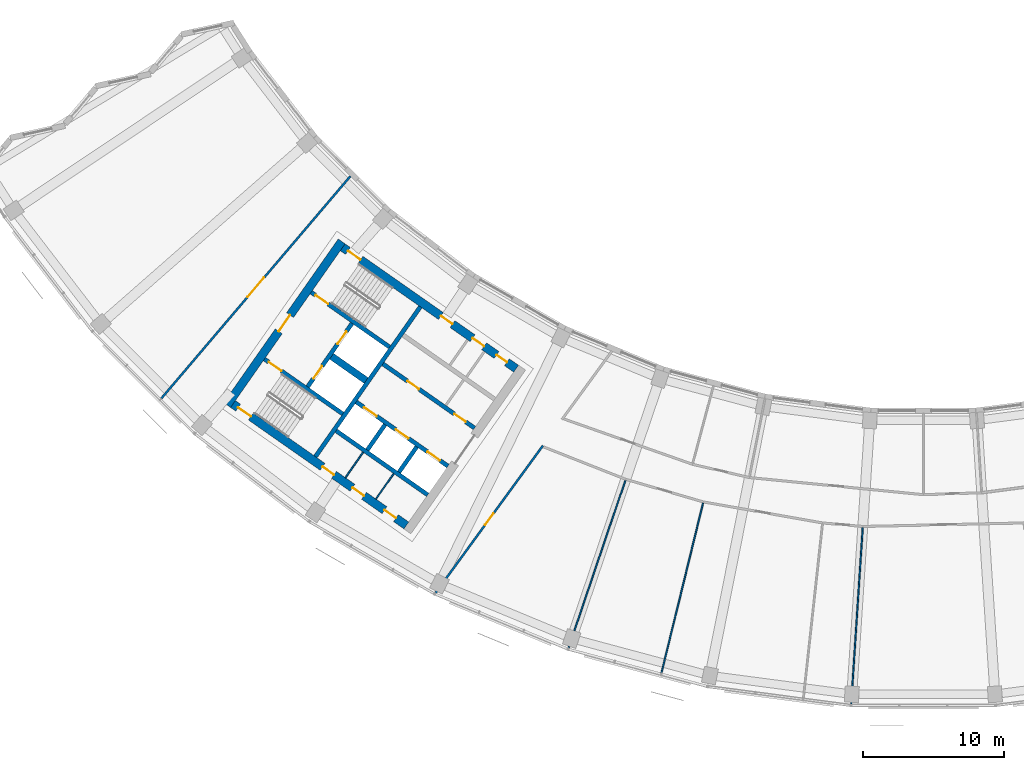
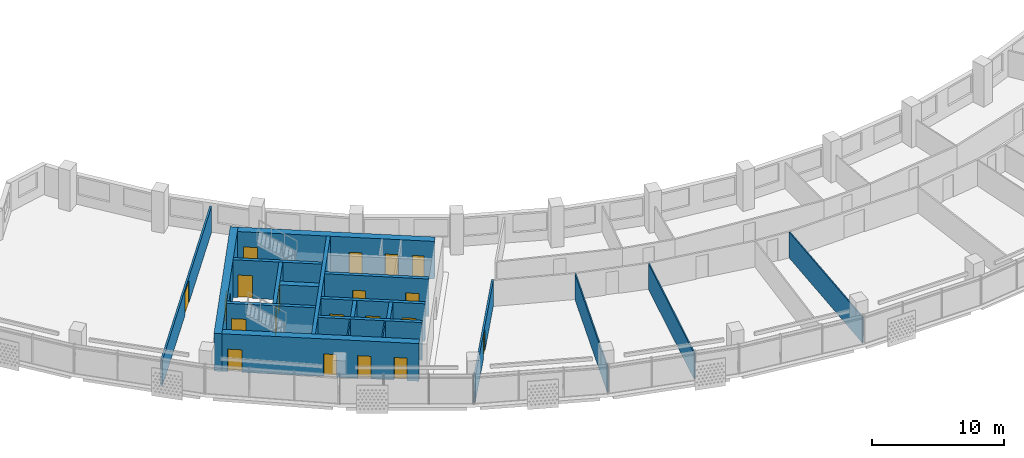
# One storey, part 3 of 28: 20 doors, 20 walls, 20 openings.
"""IFC4 building model written with IfcOpenShell, lengths in metres."""

from ifc_helpers import new_model, si_unit, direction, frame, frame_2d, origin, place, context, subcontext, project, spatial, rectangle, extrude, material, layer, layer_set, type_object, element, fill, save


model = new_model("IFC4")

# Units and contexts
model_context = context("Model", 3, precision=1e-05, world=origin(), true_north=direction((0.0, 1.0)))
body_context = subcontext(model_context, "Body", "Model", "MODEL_VIEW")
ifc_project = project(units=[si_unit("LENGTHUNIT", "METRE"), si_unit("AREAUNIT", "SQUARE_METRE"), si_unit("VOLUMEUNIT", "CUBIC_METRE"), si_unit("PLANEANGLEUNIT", "RADIAN"), si_unit("MASSUNIT", "GRAM", prefix="KILO")], contexts=[model_context])

# Site, building, storey
site_placement = place(None, origin())
site = spatial("IfcSite", under=ifc_project, at=site_placement, CompositionType="ELEMENT")
building_placement = place(site_placement, origin())
building = spatial("IfcBuilding", under=site, at=building_placement, Name="Qamariyya Broadcast Tower", CompositionType="ELEMENT")
storey_placement = place(building_placement, frame((0.0, 0.0, 245.5)))
storey = spatial("IfcBuildingStorey", under=building, at=storey_placement, Name="L59", CompositionType="ELEMENT", Elevation=245.5)

# Wall, opening, door
ifc_material_1 = material(Name="Concrete C60/75", Category="concrete")
ifc_layer_1 = layer(ifc_material_1, 0.60009765625)
ifc_layer_set_1 = layer_set([ifc_layer_1], Name="Core wall 600 mm Concrete C60/75")
wall_type_1 = type_object("IfcWallType", Name="Core wall 600 mm Concrete C60/75", PredefinedType="SHEAR", material=ifc_layer_set_1)
wall_1_placement = place(storey_placement, frame((-49.4833984375, -57.031494140625, 0.0), z_axis=(0.0, 0.0, 1.0), x_axis=(0.573560421458, 0.819163257805, 0.0)))
wall_1 = element("IfcWall", 1, at=wall_1_placement, inside=storey, type_object=wall_type_1, Name="k-W-L59-WH", PredefinedType="SHEAR", context=body_context, shape_type="SweptSolid", body=[
    extrude(rectangle(XDim=14.199951171875, YDim=0.60009765625, at=frame_2d((7.10009765625, 0.0))), origin(), (0.0, 0.0, 1.0), 3.5),
])
opening_1_placement = place(wall_1_placement, frame((6.39990234375, 0.0, 0.0)))
opening_1 = element("IfcOpeningElement", 2, at=opening_1_placement, cuts=wall_1, Name="Opening KD2-W1", PredefinedType="OPENING", context=body_context, shape_type="SweptSolid", body=[
    extrude(rectangle(XDim=1.39990234375, YDim=2.10009765625, at=frame_2d((0.699951171875, 1.050048828125))), frame((0.0, 0.31005859375, 0.0), z_axis=(0.0, -1.0, 0.0), x_axis=(1.0, 0.0, 0.0)), (0.0, 0.0, 1.0), 0.6201171875),
])
ifc_material_2 = material(Name="Steel fire-resisting door leaf", Category="steel")
door_type_1 = type_object("IfcDoorType", Name="Fire-fighting lobby door KD2", OperationType="DOUBLE_DOOR_SINGLE_SWING", PredefinedType="DOOR", material=ifc_material_2)
door_1_placement = place(opening_1_placement, origin())
door_1 = element("IfcDoor", 3, at=door_1_placement, inside=storey, type_object=door_type_1, Name="k-W-L59-WH-D15", OperationType="DOUBLE_DOOR_SINGLE_SWING", OverallHeight=2.10009765625, OverallWidth=1.39990234375, PredefinedType="DOOR", context=body_context, shape_type="SweptSolid", body=[
    extrude(rectangle(XDim=1.39990234375, YDim=2.10009765625, at=frame_2d((0.699951171875, 1.050048828125))), frame((0.0, 0.02490234375, 0.0), z_axis=(0.0, -1.0, 0.0), x_axis=(1.0, 0.0, 0.0)), (0.0, 0.0, 1.0), 0.050048828125),
])
fill(opening_1, door_1)

# Wall, openings, doors
wall_2_placement = place(storey_placement, frame((-28.940673828125, -54.447021484375, 0.0), z_axis=(0.0, 0.0, 1.0), x_axis=(-0.819153391756, 0.573574511963, 0.0)))
wall_2 = element("IfcWall", 4, at=wall_2_placement, inside=storey, type_object=wall_type_1, Name="k-W-L59-WI", PredefinedType="SHEAR", context=body_context, shape_type="SweptSolid", body=[
    extrude(rectangle(XDim=15.04541015625, YDim=0.60009765625, at=frame_2d((7.522705078125, 0.0))), origin(), (0.0, 0.0, 1.0), 3.5),
])
opening_2_placement = place(wall_2_placement, frame((0.800048828125, 0.0, 0.0)))
opening_2 = element("IfcOpeningElement", 5, at=opening_2_placement, cuts=wall_2, Name="Opening KD5-W1", PredefinedType="OPENING", context=body_context, shape_type="SweptSolid", body=[
    extrude(rectangle(XDim=0.89990234375, YDim=2.10009765625, at=frame_2d((0.449951171875, 1.050048828125))), frame((0.0, 0.31005859375, 0.0), z_axis=(0.0, -1.0, 0.0), x_axis=(1.0, 0.0, 0.0)), (0.0, 0.0, 1.0), 0.6201171875),
])
opening_3_placement = place(wall_2_placement, frame((2.77490234375, 0.0, 0.0)))
opening_3 = element("IfcOpeningElement", 6, at=opening_3_placement, cuts=wall_2, Name="Opening KD7-W1", PredefinedType="OPENING", context=body_context, shape_type="SweptSolid", body=[
    extrude(rectangle(XDim=1.0, YDim=2.10009765625, at=frame_2d((0.5, 1.050048828125))), frame((0.0, 0.31005859375, 0.0), z_axis=(0.0, -1.0, 0.0), x_axis=(1.0, 0.0, 0.0)), (0.0, 0.0, 1.0), 0.6201171875),
])
opening_4_placement = place(wall_2_placement, frame((5.52490234375, 0.0, 0.0)))
opening_4 = element("IfcOpeningElement", 7, at=opening_4_placement, cuts=wall_2, Name="Opening KD6-W3", PredefinedType="OPENING", context=body_context, shape_type="SweptSolid", body=[
    extrude(rectangle(XDim=1.0, YDim=2.10009765625, at=frame_2d((0.5, 1.050048828125))), frame((0.0, 0.31005859375, 0.0), z_axis=(0.0, -1.0, 0.0), x_axis=(1.0, 0.0, 0.0)), (0.0, 0.0, 1.0), 0.6201171875),
])
opening_5_placement = place(wall_2_placement, frame((13.495361328125, 0.0, 0.0)))
opening_5 = element("IfcOpeningElement", 8, at=opening_5_placement, cuts=wall_2, Name="Opening KD1-W1", PredefinedType="OPENING", context=body_context, shape_type="SweptSolid", body=[
    extrude(rectangle(XDim=1.10009765625, YDim=2.10009765625, at=frame_2d((0.550048828125, 1.050048828125))), frame((0.0, 0.31005859375, 0.0), z_axis=(0.0, -1.0, 0.0), x_axis=(1.0, 0.0, 0.0)), (0.0, 0.0, 1.0), 0.6201171875),
])
door_type_2 = type_object("IfcDoorType", Name="Accessible toilet door KD7", OperationType="SINGLE_SWING_LEFT", PredefinedType="DOOR", material=ifc_material_2)
door_2_placement = place(opening_3_placement, origin())
door_2 = element("IfcDoor", 9, at=door_2_placement, inside=storey, type_object=door_type_2, Name="k-W-L59-WI-D8", OperationType="SINGLE_SWING_LEFT", OverallHeight=2.10009765625, OverallWidth=1.0, PredefinedType="DOOR", context=body_context, shape_type="SweptSolid", body=[
    extrude(rectangle(XDim=1.0, YDim=2.10009765625, at=frame_2d((0.5, 1.050048828125))), frame((0.0, 0.02490234375, 0.0), z_axis=(0.0, -1.0, 0.0), x_axis=(1.0, 0.0, 0.0)), (0.0, 0.0, 1.0), 0.050048828125),
])
fill(opening_3, door_2)
door_type_3 = type_object("IfcDoorType", Name="Core room door KD6", OperationType="SINGLE_SWING_LEFT", PredefinedType="DOOR", material=ifc_material_2)
door_3_placement = place(opening_4_placement, origin())
door_3 = element("IfcDoor", 10, at=door_3_placement, inside=storey, type_object=door_type_3, Name="k-W-L59-WI-D9", OperationType="SINGLE_SWING_RIGHT", OverallHeight=2.10009765625, OverallWidth=1.0, PredefinedType="DOOR", context=body_context, shape_type="SweptSolid", body=[
    extrude(rectangle(XDim=1.0, YDim=2.10009765625, at=frame_2d((0.5, 1.050048828125))), frame((0.0, 0.02490234375, 0.0), z_axis=(0.0, -1.0, 0.0), x_axis=(1.0, 0.0, 0.0)), (0.0, 0.0, 1.0), 0.050048828125),
])
fill(opening_4, door_3)
door_type_4 = type_object("IfcDoorType", Name="Stair door KD1", OperationType="SINGLE_SWING_LEFT", PredefinedType="DOOR", material=ifc_material_2)
door_4_placement = place(opening_5_placement, origin())
door_4 = element("IfcDoor", 11, at=door_4_placement, inside=storey, type_object=door_type_4, Name="k-W-L59-WI-D16", OperationType="SINGLE_SWING_RIGHT", OverallHeight=2.10009765625, OverallWidth=1.10009765625, PredefinedType="DOOR", context=body_context, shape_type="SweptSolid", body=[
    extrude(rectangle(XDim=1.10009765625, YDim=2.10009765625, at=frame_2d((0.550048828125, 1.050048828125))), frame((0.0, 0.02490234375, 0.0), z_axis=(0.0, -1.0, 0.0), x_axis=(1.0, 0.0, 0.0)), (0.0, 0.0, 1.0), 0.050048828125),
])
fill(opening_5, door_4)
door_type_5 = type_object("IfcDoorType", Name="Toilet door KD5", OperationType="SINGLE_SWING_LEFT", PredefinedType="DOOR", material=ifc_material_2)
door_5_placement = place(opening_2_placement, origin())
door_5 = element("IfcDoor", 12, at=door_5_placement, inside=storey, type_object=door_type_5, Name="k-W-L59-WI-D7", OperationType="SINGLE_SWING_RIGHT", OverallHeight=2.10009765625, OverallWidth=0.89990234375, PredefinedType="DOOR", context=body_context, shape_type="SweptSolid", body=[
    extrude(rectangle(XDim=0.89990234375, YDim=2.10009765625, at=frame_2d((0.449951171875, 1.050048828125))), frame((0.0, 0.02490234375, 0.0), z_axis=(0.0, -1.0, 0.0), x_axis=(1.0, 0.0, 0.0)), (0.0, 0.0, 1.0), 0.050048828125),
])
fill(opening_2, door_5)

wall_3_placement = place(storey_placement, frame((-36.7412109375, -65.58740234375, 0.0), z_axis=(0.0, 0.0, 1.0), x_axis=(-0.819153391756, 0.573574511963, 0.0)))
wall_3 = element("IfcWall", 13, at=wall_3_placement, inside=storey, type_object=wall_type_1, Name="k-W-L59-WO", PredefinedType="SHEAR", context=body_context, shape_type="SweptSolid", body=[
    extrude(rectangle(XDim=15.04541015625, YDim=0.60009765625, at=frame_2d((7.522705078125, 0.0))), origin(), (0.0, 0.0, 1.0), 3.5),
])
opening_6_placement = place(wall_3_placement, frame((0.89990234375, 0.0, 0.0)))
opening_6 = element("IfcOpeningElement", 14, at=opening_6_placement, cuts=wall_3, Name="Opening KD4-W1", PredefinedType="OPENING", context=body_context, shape_type="SweptSolid", body=[
    extrude(rectangle(XDim=1.0, YDim=2.10009765625, at=frame_2d((0.5, 1.050048828125))), frame((0.0, 0.31005859375, 0.0), z_axis=(0.0, -1.0, 0.0), x_axis=(1.0, 0.0, 0.0)), (0.0, 0.0, 1.0), 0.6201171875),
])
opening_7_placement = place(wall_3_placement, frame((3.675048828125, 0.0, 0.0)))
opening_7 = element("IfcOpeningElement", 15, at=opening_7_placement, cuts=wall_3, Name="Opening KD4-W2", PredefinedType="OPENING", context=body_context, shape_type="SweptSolid", body=[
    extrude(rectangle(XDim=1.0, YDim=2.10009765625, at=frame_2d((0.5, 1.050048828125))), frame((0.0, 0.31005859375, 0.0), z_axis=(0.0, -1.0, 0.0), x_axis=(1.0, 0.0, 0.0)), (0.0, 0.0, 1.0), 0.6201171875),
])
opening_8_placement = place(wall_3_placement, frame((6.27490234375, 0.0, 0.0)))
opening_8 = element("IfcOpeningElement", 16, at=opening_8_placement, cuts=wall_3, Name="Opening KD4-W3", PredefinedType="OPENING", context=body_context, shape_type="SweptSolid", body=[
    extrude(rectangle(XDim=1.0, YDim=2.10009765625, at=frame_2d((0.5, 1.050048828125))), frame((0.0, 0.31005859375, 0.0), z_axis=(0.0, -1.0, 0.0), x_axis=(1.0, 0.0, 0.0)), (0.0, 0.0, 1.0), 0.6201171875),
])
opening_9_placement = place(wall_3_placement, frame((13.495361328125, 0.0, 0.0)))
opening_9 = element("IfcOpeningElement", 17, at=opening_9_placement, cuts=wall_3, Name="Opening KD1-W3", PredefinedType="OPENING", context=body_context, shape_type="SweptSolid", body=[
    extrude(rectangle(XDim=1.10009765625, YDim=2.10009765625, at=frame_2d((0.550048828125, 1.050048828125))), frame((0.0, 0.31005859375, 0.0), z_axis=(0.0, -1.0, 0.0), x_axis=(1.0, 0.0, 0.0)), (0.0, 0.0, 1.0), 0.6201171875),
])
door_type_6 = type_object("IfcDoorType", Name="Riser and plant door KD4", OperationType="SINGLE_SWING_LEFT", PredefinedType="DOOR", material=ifc_material_2)
door_6_placement = place(opening_6_placement, origin())
door_6 = element("IfcDoor", 18, at=door_6_placement, inside=storey, type_object=door_type_6, Name="k-W-L59-WO-D10", OperationType="SINGLE_SWING_LEFT", OverallHeight=2.10009765625, OverallWidth=1.0, PredefinedType="DOOR", context=body_context, shape_type="SweptSolid", body=[
    extrude(rectangle(XDim=1.0, YDim=2.10009765625, at=frame_2d((0.5, 1.050048828125))), frame((0.0, 0.02490234375, 0.0), z_axis=(0.0, -1.0, 0.0), x_axis=(1.0, 0.0, 0.0)), (0.0, 0.0, 1.0), 0.050048828125),
])
fill(opening_6, door_6)
door_7_placement = place(opening_7_placement, origin())
door_7 = element("IfcDoor", 19, at=door_7_placement, inside=storey, type_object=door_type_6, Name="k-W-L59-WO-D11", OperationType="SINGLE_SWING_RIGHT", OverallHeight=2.10009765625, OverallWidth=1.0, PredefinedType="DOOR", context=body_context, shape_type="SweptSolid", body=[
    extrude(rectangle(XDim=1.0, YDim=2.10009765625, at=frame_2d((0.5, 1.050048828125))), frame((0.0, 0.02490234375, 0.0), z_axis=(0.0, -1.0, 0.0), x_axis=(1.0, 0.0, 0.0)), (0.0, 0.0, 1.0), 0.050048828125),
])
fill(opening_7, door_7)
door_8_placement = place(opening_8_placement, origin())
door_8 = element("IfcDoor", 20, at=door_8_placement, inside=storey, type_object=door_type_6, Name="k-W-L59-WO-D12", OperationType="SINGLE_SWING_LEFT", OverallHeight=2.10009765625, OverallWidth=1.0, PredefinedType="DOOR", context=body_context, shape_type="SweptSolid", body=[
    extrude(rectangle(XDim=1.0, YDim=2.10009765625, at=frame_2d((0.5, 1.050048828125))), frame((0.0, 0.02490234375, 0.0), z_axis=(0.0, -1.0, 0.0), x_axis=(1.0, 0.0, 0.0)), (0.0, 0.0, 1.0), 0.050048828125),
])
fill(opening_8, door_8)
door_9_placement = place(opening_9_placement, origin())
door_9 = element("IfcDoor", 21, at=door_9_placement, inside=storey, type_object=door_type_4, Name="k-W-L59-WO-D18", OperationType="SINGLE_SWING_LEFT", OverallHeight=2.10009765625, OverallWidth=1.10009765625, PredefinedType="DOOR", context=body_context, shape_type="SweptSolid", body=[
    extrude(rectangle(XDim=1.10009765625, YDim=2.10009765625, at=frame_2d((0.550048828125, 1.050048828125))), frame((0.0, 0.02490234375, 0.0), z_axis=(0.0, -1.0, 0.0), x_axis=(1.0, 0.0, 0.0)), (0.0, 0.0, 1.0), 0.050048828125),
])
fill(opening_9, door_9)

# Wall, opening, door
ifc_material_3 = material(Name="Gypsum board partition")
ifc_layer_2 = layer(ifc_material_3, 0.14990234375)
ifc_layer_set_2 = layer_set([ifc_layer_2], Name="Corridor partition 150 EI 60")
wall_type_2 = type_object("IfcWallType", Name="Corridor partition 150 EI 60", PredefinedType="PARTITIONING", material=ifc_layer_set_2)
wall_4_placement = place(storey_placement, frame((-54.15283203125, -56.554931640625, 0.0), z_axis=(0.0, 0.0, 1.0), x_axis=(0.647962636986, 0.761672121762, 0.0)))
wall_4 = element("IfcWall", 22, at=wall_4_placement, inside=storey, type_object=wall_type_2, Name="Partition L59-001", PredefinedType="PARTITIONING", context=body_context, shape_type="SweptSolid", body=[
    extrude(rectangle(XDim=20.723388671875, YDim=0.14990234375, at=frame_2d((10.36181640625, 0.0))), origin(), (0.0, 0.0, 1.0), 2.39990234375),
])
opening_10_placement = place(wall_4_placement, frame((9.461669921875, 0.0, 0.0)))
opening_10 = element("IfcOpeningElement", 23, at=opening_10_placement, cuts=wall_4, Name="Opening L59-D15", PredefinedType="OPENING", context=body_context, shape_type="SweptSolid", body=[
    extrude(rectangle(XDim=1.800048828125, YDim=2.10009765625, at=frame_2d((0.89990234375, 1.050048828125))), frame((0.0, 0.0849609375, 0.0), z_axis=(0.0, -1.0, 0.0), x_axis=(1.0, 0.0, 0.0)), (0.0, 0.0, 1.0), 0.169921875),
])
ifc_material_4 = material(Name="Timber fire door leaf", Category="wood")
door_type_7 = type_object("IfcDoorType", Name="Double fire door 1800 x 2100 FD60", OperationType="NOTDEFINED", PredefinedType="DOOR", material=ifc_material_4)
door_10_placement = place(opening_10_placement, origin())
door_10 = element("IfcDoor", 24, at=door_10_placement, inside=storey, type_object=door_type_7, Name="Door L59-D15", OperationType="DOUBLE_DOOR_SINGLE_SWING", OverallHeight=2.10009765625, OverallWidth=1.800048828125, PredefinedType="DOOR", context=body_context, shape_type="SweptSolid", body=[
    extrude(rectangle(XDim=1.800048828125, YDim=2.10009765625, at=frame_2d((0.89990234375, 1.050048828125))), frame((0.0, 0.02490234375, 0.0), z_axis=(0.0, -1.0, 0.0), x_axis=(1.0, 0.0, 0.0)), (0.0, 0.0, 1.0), 0.050048828125),
])
fill(opening_10, door_10)

wall_5_placement = place(storey_placement, frame((-27.033447265625, -59.90966796875, 0.0), z_axis=(0.0, 0.0, 1.0), x_axis=(-0.589273648147, -0.807933516819, 0.0)))
wall_5 = element("IfcWall", 25, at=wall_5_placement, inside=storey, type_object=wall_type_2, Name="Partition L59-002", PredefinedType="PARTITIONING", context=body_context, shape_type="SweptSolid", body=[
    extrude(rectangle(XDim=12.956298828125, YDim=0.14990234375, at=frame_2d((6.47802734375, 0.0))), origin(), (0.0, 0.0, 1.0), 2.39990234375),
])
opening_11_placement = place(wall_5_placement, frame((5.97802734375, 0.0, 0.0)))
opening_11 = element("IfcOpeningElement", 26, at=opening_11_placement, cuts=wall_5, Name="Opening L59-D01", PredefinedType="OPENING", context=body_context, shape_type="SweptSolid", body=[
    extrude(rectangle(XDim=1.0, YDim=2.10009765625, at=frame_2d((0.5, 1.050048828125))), frame((0.0, 0.0849609375, 0.0), z_axis=(0.0, -1.0, 0.0), x_axis=(1.0, 0.0, 0.0)), (0.0, 0.0, 1.0), 0.169921875),
])
door_type_8 = type_object("IfcDoorType", Name="Fire door 1000 x 2100 FD60", OperationType="NOTDEFINED", PredefinedType="DOOR", material=ifc_material_4)
door_11_placement = place(opening_11_placement, origin())
door_11 = element("IfcDoor", 27, at=door_11_placement, inside=storey, type_object=door_type_8, Name="Door L59-D01", OperationType="SINGLE_SWING_RIGHT", OverallHeight=2.10009765625, OverallWidth=1.0, PredefinedType="DOOR", context=body_context, shape_type="SweptSolid", body=[
    extrude(rectangle(XDim=1.0, YDim=2.10009765625, at=frame_2d((0.5, 1.050048828125))), frame((0.0, 0.02490234375, 0.0), z_axis=(0.0, -1.0, 0.0), x_axis=(1.0, 0.0, 0.0)), (0.0, 0.0, 1.0), 0.050048828125),
])
fill(opening_11, door_11)

# Walls
ifc_layer_3 = layer(ifc_material_1, 0.5)
ifc_layer_set_3 = layer_set([ifc_layer_3], Name="Fire-fighting lobby divider wall 500 mm Concrete C60/75")
wall_type_3 = type_object("IfcWallType", Name="Fire-fighting lobby divider wall 500 mm Concrete C60/75", PredefinedType="SOLIDWALL", material=ifc_layer_set_3)
wall_6_placement = place(storey_placement, frame((-39.59912109375, -55.28515625, 0.0), z_axis=(0.0, 0.0, 1.0), x_axis=(-0.819136323161, 0.573598887793, 0.0)))
element("IfcWall", 28, at=wall_6_placement, inside=storey, type_object=wall_type_3, Name="k-W-L59-FD", PredefinedType="SOLIDWALL", context=body_context, shape_type="SweptSolid", body=[
    extrude(rectangle(XDim=2.999755859375, YDim=0.5, at=frame_2d((1.5, 0.0))), origin(), (0.0, 0.0, 1.0), 3.5),
])
ifc_layer_4 = layer(ifc_material_1, 0.300048828125)
ifc_layer_set_4 = layer_set([ifc_layer_4], Name="Lift shaft wall 300 mm Concrete C60/75")
wall_type_4 = type_object("IfcWallType", Name="Lift shaft wall 300 mm Concrete C60/75", PredefinedType="SOLIDWALL", material=ifc_layer_set_4)
wall_7_placement = place(storey_placement, frame((-43.204345703125, -60.69580078125, 0.0), z_axis=(0.0, 0.0, 1.0), x_axis=(0.573571992966, 0.819155155563, 0.0)))
element("IfcWall", 29, at=wall_7_placement, inside=storey, type_object=wall_type_4, Name="k-W-L59-WL", PredefinedType="SOLIDWALL", context=body_context, shape_type="SweptSolid", body=[
    extrude(rectangle(XDim=13.000244140625, YDim=0.300048828125, at=frame_2d((6.5, 0.0))), origin(), (0.0, 0.0, 1.0), 3.5),
])

# Wall, openings, doors
wall_8_placement = place(storey_placement, frame((-31.89453125, -58.66552734375, 0.0), z_axis=(0.0, 0.0, 1.0), x_axis=(-0.819166993208, 0.573555086491, 0.0)))
wall_8 = element("IfcWall", 30, at=wall_8_placement, inside=storey, type_object=wall_type_4, Name="k-W-L59-NF0", PredefinedType="SOLIDWALL", context=body_context, shape_type="SweptSolid", body=[
    extrude(rectangle(XDim=7.9501953125, YDim=0.300048828125, at=frame_2d((3.97509765625, 0.0))), origin(), (0.0, 0.0, 1.0), 3.5),
])
opening_12_placement = place(wall_8_placement, frame((0.762451171875, 0.0, 0.0)))
opening_12 = element("IfcOpeningElement", 31, at=opening_12_placement, cuts=wall_8, Name="Opening KD6-W1", PredefinedType="OPENING", context=body_context, shape_type="SweptSolid", body=[
    extrude(rectangle(XDim=1.0, YDim=2.10009765625, at=frame_2d((0.5, 1.050048828125))), frame((0.0, 0.159912109375, 0.0), z_axis=(0.0, -1.0, 0.0), x_axis=(1.0, 0.0, 0.0)), (0.0, 0.0, 1.0), 0.320068359375),
])
opening_13_placement = place(wall_8_placement, frame((4.8125, 0.0, 0.0)))
opening_13 = element("IfcOpeningElement", 32, at=opening_13_placement, cuts=wall_8, Name="Opening KD6-W2", PredefinedType="OPENING", context=body_context, shape_type="SweptSolid", body=[
    extrude(rectangle(XDim=1.0, YDim=2.10009765625, at=frame_2d((0.5, 1.050048828125))), frame((0.0, 0.159912109375, 0.0), z_axis=(0.0, -1.0, 0.0), x_axis=(1.0, 0.0, 0.0)), (0.0, 0.0, 1.0), 0.320068359375),
])
door_12_placement = place(opening_12_placement, origin())
door_12 = element("IfcDoor", 33, at=door_12_placement, inside=storey, type_object=door_type_3, Name="k-W-L59-NF0-D2", OperationType="SINGLE_SWING_LEFT", OverallHeight=2.10009765625, OverallWidth=1.0, PredefinedType="DOOR", context=body_context, shape_type="SweptSolid", body=[
    extrude(rectangle(XDim=1.0, YDim=2.10009765625, at=frame_2d((0.5, 1.050048828125))), frame((0.0, 0.02490234375, 0.0), z_axis=(0.0, -1.0, 0.0), x_axis=(1.0, 0.0, 0.0)), (0.0, 0.0, 1.0), 0.050048828125),
])
fill(opening_12, door_12)
door_13_placement = place(opening_13_placement, origin())
door_13 = element("IfcDoor", 34, at=door_13_placement, inside=storey, type_object=door_type_3, Name="k-W-L59-NF0-D3", OperationType="SINGLE_SWING_RIGHT", OverallHeight=2.10009765625, OverallWidth=1.0, PredefinedType="DOOR", context=body_context, shape_type="SweptSolid", body=[
    extrude(rectangle(XDim=1.0, YDim=2.10009765625, at=frame_2d((0.5, 1.050048828125))), frame((0.0, 0.02490234375, 0.0), z_axis=(0.0, -1.0, 0.0), x_axis=(1.0, 0.0, 0.0)), (0.0, 0.0, 1.0), 0.050048828125),
])
fill(opening_13, door_13)

wall_9_placement = place(storey_placement, frame((-33.787353515625, -61.368896484375, 0.0), z_axis=(0.0, 0.0, 1.0), x_axis=(-0.819152564888, 0.573575692858, 0.0)))
wall_9 = element("IfcWall", 35, at=wall_9_placement, inside=storey, type_object=wall_type_4, Name="k-W-L59-SF0", PredefinedType="SOLIDWALL", context=body_context, shape_type="SweptSolid", body=[
    extrude(rectangle(XDim=7.9501953125, YDim=0.300048828125, at=frame_2d((3.97509765625, 0.0))), origin(), (0.0, 0.0, 1.0), 3.5),
])
opening_14_placement = place(wall_9_placement, frame((0.675048828125, 0.0, 0.0)))
opening_14 = element("IfcOpeningElement", 36, at=opening_14_placement, cuts=wall_9, Name="Opening LD", PredefinedType="OPENING", context=body_context, shape_type="SweptSolid", body=[
    extrude(rectangle(XDim=1.10009765625, YDim=2.10009765625, at=frame_2d((0.550048828125, 1.050048828125))), frame((0.0, 0.159912109375, 0.0), z_axis=(0.0, -1.0, 0.0), x_axis=(1.0, 0.0, 0.0)), (0.0, 0.0, 1.0), 0.320068359375),
])
opening_15_placement = place(wall_9_placement, frame((3.425048828125, 0.0, 0.0)))
opening_15 = element("IfcOpeningElement", 37, at=opening_15_placement, cuts=wall_9, Name="Opening LD", PredefinedType="OPENING", context=body_context, shape_type="SweptSolid", body=[
    extrude(rectangle(XDim=1.10009765625, YDim=2.10009765625, at=frame_2d((0.550048828125, 1.050048828125))), frame((0.0, 0.159912109375, 0.0), z_axis=(0.0, -1.0, 0.0), x_axis=(1.0, 0.0, 0.0)), (0.0, 0.0, 1.0), 0.320068359375),
])
opening_16_placement = place(wall_9_placement, frame((6.175048828125, 0.0, 0.0)))
opening_16 = element("IfcOpeningElement", 38, at=opening_16_placement, cuts=wall_9, Name="Opening LD", PredefinedType="OPENING", context=body_context, shape_type="SweptSolid", body=[
    extrude(rectangle(XDim=1.10009765625, YDim=2.10009765625, at=frame_2d((0.550048828125, 1.050048828125))), frame((0.0, 0.159912109375, 0.0), z_axis=(0.0, -1.0, 0.0), x_axis=(1.0, 0.0, 0.0)), (0.0, 0.0, 1.0), 0.320068359375),
])
door_type_9 = type_object("IfcDoorType", Name="Lift landing door LD", OperationType="DOUBLE_DOOR_SLIDING", PredefinedType="DOOR", material=ifc_material_2)
door_14_placement = place(opening_14_placement, origin())
door_14 = element("IfcDoor", 39, at=door_14_placement, inside=storey, type_object=door_type_9, Name="k-W-L59-SF0-D4", OperationType="DOUBLE_DOOR_SLIDING", OverallHeight=2.10009765625, OverallWidth=1.10009765625, PredefinedType="DOOR", context=body_context, shape_type="SweptSolid", body=[
    extrude(rectangle(XDim=1.10009765625, YDim=2.10009765625, at=frame_2d((0.550048828125, 1.050048828125))), frame((0.0, 0.02490234375, 0.0), z_axis=(0.0, -1.0, 0.0), x_axis=(1.0, 0.0, 0.0)), (0.0, 0.0, 1.0), 0.050048828125),
])
fill(opening_14, door_14)
door_15_placement = place(opening_15_placement, origin())
door_15 = element("IfcDoor", 40, at=door_15_placement, inside=storey, type_object=door_type_9, Name="k-W-L59-SF0-D5", OperationType="DOUBLE_DOOR_SLIDING", OverallHeight=2.10009765625, OverallWidth=1.10009765625, PredefinedType="DOOR", context=body_context, shape_type="SweptSolid", body=[
    extrude(rectangle(XDim=1.10009765625, YDim=2.10009765625, at=frame_2d((0.550048828125, 1.050048828125))), frame((0.0, 0.02490234375, 0.0), z_axis=(0.0, -1.0, 0.0), x_axis=(1.0, 0.0, 0.0)), (0.0, 0.0, 1.0), 0.050048828125),
])
fill(opening_15, door_15)
door_16_placement = place(opening_16_placement, origin())
door_16 = element("IfcDoor", 41, at=door_16_placement, inside=storey, type_object=door_type_9, Name="k-W-L59-SF0-D6", OperationType="DOUBLE_DOOR_SLIDING", OverallHeight=2.10009765625, OverallWidth=1.10009765625, PredefinedType="DOOR", context=body_context, shape_type="SweptSolid", body=[
    extrude(rectangle(XDim=1.10009765625, YDim=2.10009765625, at=frame_2d((0.550048828125, 1.050048828125))), frame((0.0, 0.02490234375, 0.0), z_axis=(0.0, -1.0, 0.0), x_axis=(1.0, 0.0, 0.0)), (0.0, 0.0, 1.0), 0.050048828125),
])
fill(opening_16, door_16)

# Walls
wall_10_placement = place(storey_placement, frame((-35.22119140625, -63.41650390625, 0.0), z_axis=(0.0, 0.0, 1.0), x_axis=(-0.819166993208, 0.573555086491, 0.0)))
element("IfcWall", 42, at=wall_10_placement, inside=storey, type_object=wall_type_4, Name="k-W-L59-SB0", PredefinedType="SOLIDWALL", context=body_context, shape_type="SweptSolid", body=[
    extrude(rectangle(XDim=7.9501953125, YDim=0.300048828125, at=frame_2d((3.97509765625, 0.0))), origin(), (0.0, 0.0, 1.0), 3.5),
])
wall_11_placement = place(storey_placement, frame((-36.003173828125, -60.000244140625, 0.0), z_axis=(0.0, 0.0, 1.0), x_axis=(-0.573581496053, -0.819148501424, 0.0)))
element("IfcWall", 43, at=wall_11_placement, inside=storey, type_object=wall_type_4, Name="k-W-L59-SD0", PredefinedType="SOLIDWALL", context=body_context, shape_type="SweptSolid", body=[
    extrude(rectangle(XDim=2.2001953125, YDim=0.300048828125, at=frame_2d((1.10009765625, 0.0))), origin(), (0.0, 0.0, 1.0), 3.5),
])
wall_12_placement = place(storey_placement, frame((-38.255859375, -58.423095703125, 0.0), z_axis=(0.0, 0.0, 1.0), x_axis=(-0.573633636671, -0.819111989218, 0.0)))
element("IfcWall", 44, at=wall_12_placement, inside=storey, type_object=wall_type_4, Name="k-W-L59-SD1", PredefinedType="SOLIDWALL", context=body_context, shape_type="SweptSolid", body=[
    extrude(rectangle(XDim=2.199951171875, YDim=0.300048828125, at=frame_2d((1.10009765625, 0.0))), origin(), (0.0, 0.0, 1.0), 3.5),
])

# Wall, opening, door
wall_13_placement = place(storey_placement, frame((-37.935546875, -52.90966796875, 0.0), z_axis=(0.0, 0.0, 1.0), x_axis=(-0.819147518138, 0.57358290031, 0.0)))
wall_13 = element("IfcWall", 45, at=wall_13_placement, inside=storey, type_object=wall_type_4, Name="k-W-L59-NW", PredefinedType="SOLIDWALL", context=body_context, shape_type="SweptSolid", body=[
    extrude(rectangle(XDim=6.79541015625, YDim=0.300048828125, at=frame_2d((3.397705078125, 0.0))), origin(), (0.0, 0.0, 1.0), 3.5),
])
opening_17_placement = place(wall_13_placement, frame((5.3203125, 0.0, 0.0)))
opening_17 = element("IfcOpeningElement", 46, at=opening_17_placement, cuts=wall_13, Name="Opening KD1-W2", PredefinedType="OPENING", context=body_context, shape_type="SweptSolid", body=[
    extrude(rectangle(XDim=1.10009765625, YDim=2.10009765625, at=frame_2d((0.550048828125, 1.050048828125))), frame((0.0, 0.159912109375, 0.0), z_axis=(0.0, -1.0, 0.0), x_axis=(1.0, 0.0, 0.0)), (0.0, 0.0, 1.0), 0.320068359375),
])
door_17_placement = place(opening_17_placement, origin())
door_17 = element("IfcDoor", 47, at=door_17_placement, inside=storey, type_object=door_type_4, Name="k-W-L59-NW-D17", OperationType="SINGLE_SWING_RIGHT", OverallHeight=2.10009765625, OverallWidth=1.10009765625, PredefinedType="DOOR", context=body_context, shape_type="SweptSolid", body=[
    extrude(rectangle(XDim=1.10009765625, YDim=2.10009765625, at=frame_2d((0.550048828125, 1.050048828125))), frame((0.0, 0.02490234375, 0.0), z_axis=(0.0, -1.0, 0.0), x_axis=(1.0, 0.0, 0.0)), (0.0, 0.0, 1.0), 0.050048828125),
])
fill(opening_17, door_17)

wall_14_placement = place(storey_placement, frame((-41.262451171875, -57.66064453125, 0.0), z_axis=(0.0, 0.0, 1.0), x_axis=(-0.819164398642, 0.573558792102, 0.0)))
wall_14 = element("IfcWall", 48, at=wall_14_placement, inside=storey, type_object=wall_type_4, Name="k-W-L59-SW", PredefinedType="SOLIDWALL", context=body_context, shape_type="SweptSolid", body=[
    extrude(rectangle(XDim=6.795166015625, YDim=0.300048828125, at=frame_2d((3.3974609375, 0.0))), origin(), (0.0, 0.0, 1.0), 3.5),
])
opening_18_placement = place(wall_14_placement, frame((5.3203125, 0.0, 0.0)))
opening_18 = element("IfcOpeningElement", 49, at=opening_18_placement, cuts=wall_14, Name="Opening KD1-W4", PredefinedType="OPENING", context=body_context, shape_type="SweptSolid", body=[
    extrude(rectangle(XDim=1.10009765625, YDim=2.10009765625, at=frame_2d((0.550048828125, 1.050048828125))), frame((0.0, 0.159912109375, 0.0), z_axis=(0.0, -1.0, 0.0), x_axis=(1.0, 0.0, 0.0)), (0.0, 0.0, 1.0), 0.320068359375),
])
door_18_placement = place(opening_18_placement, origin())
door_18 = element("IfcDoor", 50, at=door_18_placement, inside=storey, type_object=door_type_4, Name="k-W-L59-SW-D19", OperationType="SINGLE_SWING_RIGHT", OverallHeight=2.10009765625, OverallWidth=1.10009765625, PredefinedType="DOOR", context=body_context, shape_type="SweptSolid", body=[
    extrude(rectangle(XDim=1.10009765625, YDim=2.10009765625, at=frame_2d((0.550048828125, 1.050048828125))), frame((0.0, 0.02490234375, 0.0), z_axis=(0.0, -1.0, 0.0), x_axis=(1.0, 0.0, 0.0)), (0.0, 0.0, 1.0), 0.050048828125),
])
fill(opening_18, door_18)

# Wall, openings, doors
wall_15_placement = place(storey_placement, frame((-43.756591796875, -55.731201171875, 0.0), z_axis=(0.0, 0.0, 1.0), x_axis=(0.573536818435, 0.819179783625, 0.0)))
wall_15 = element("IfcWall", 51, at=wall_15_placement, inside=storey, type_object=wall_type_4, Name="k-W-L59-FF", PredefinedType="SOLIDWALL", context=body_context, shape_type="SweptSolid", body=[
    extrude(rectangle(XDim=5.500244140625, YDim=0.300048828125, at=frame_2d((2.75, 0.0))), origin(), (0.0, 0.0, 1.0), 3.5),
])
opening_19_placement = place(wall_15_placement, frame((0.699951171875, 0.0, 0.0)))
opening_19 = element("IfcOpeningElement", 52, at=opening_19_placement, cuts=wall_15, Name="Opening LD", PredefinedType="OPENING", context=body_context, shape_type="SweptSolid", body=[
    extrude(rectangle(XDim=1.10009765625, YDim=2.10009765625, at=frame_2d((0.550048828125, 1.050048828125))), frame((0.0, 0.159912109375, 0.0), z_axis=(0.0, -1.0, 0.0), x_axis=(1.0, 0.0, 0.0)), (0.0, 0.0, 1.0), 0.320068359375),
])
opening_20_placement = place(wall_15_placement, frame((3.699951171875, 0.0, 0.0)))
opening_20 = element("IfcOpeningElement", 53, at=opening_20_placement, cuts=wall_15, Name="Opening LD", PredefinedType="OPENING", context=body_context, shape_type="SweptSolid", body=[
    extrude(rectangle(XDim=1.10009765625, YDim=2.10009765625, at=frame_2d((0.550048828125, 1.050048828125))), frame((0.0, 0.159912109375, 0.0), z_axis=(0.0, -1.0, 0.0), x_axis=(1.0, 0.0, 0.0)), (0.0, 0.0, 1.0), 0.320068359375),
])
door_19_placement = place(opening_19_placement, origin())
door_19 = element("IfcDoor", 54, at=door_19_placement, inside=storey, type_object=door_type_9, Name="k-W-L59-FF-D13", OperationType="DOUBLE_DOOR_SLIDING", OverallHeight=2.10009765625, OverallWidth=1.10009765625, PredefinedType="DOOR", context=body_context, shape_type="SweptSolid", body=[
    extrude(rectangle(XDim=1.10009765625, YDim=2.10009765625, at=frame_2d((0.550048828125, 1.050048828125))), frame((0.0, 0.02490234375, 0.0), z_axis=(0.0, -1.0, 0.0), x_axis=(1.0, 0.0, 0.0)), (0.0, 0.0, 1.0), 0.050048828125),
])
fill(opening_19, door_19)
door_20_placement = place(opening_20_placement, origin())
door_20 = element("IfcDoor", 55, at=door_20_placement, inside=storey, type_object=door_type_9, Name="k-W-L59-FF-D14", OperationType="DOUBLE_DOOR_SLIDING", OverallHeight=2.10009765625, OverallWidth=1.10009765625, PredefinedType="DOOR", context=body_context, shape_type="SweptSolid", body=[
    extrude(rectangle(XDim=1.10009765625, YDim=2.10009765625, at=frame_2d((0.550048828125, 1.050048828125))), frame((0.0, 0.02490234375, 0.0), z_axis=(0.0, -1.0, 0.0), x_axis=(1.0, 0.0, 0.0)), (0.0, 0.0, 1.0), 0.050048828125),
])
fill(opening_20, door_20)

# Walls
ifc_layer_5 = layer(ifc_material_3, 0.10009765625)
ifc_layer_set_5 = layer_set([ifc_layer_5], Name="Partition 100")
wall_type_5 = type_object("IfcWallType", Name="Partition 100", PredefinedType="PARTITIONING", material=ifc_layer_set_5)
wall_16_placement = place(storey_placement, frame((-25.217041015625, -74.28662109375, 0.0), z_axis=(0.0, 0.0, 1.0), x_axis=(0.321447438057, 0.946927423072, 0.0)))
element("IfcWall", 56, at=wall_16_placement, inside=storey, type_object=wall_type_5, Name="Partition L59-005", PredefinedType="PARTITIONING", context=body_context, shape_type="SweptSolid", body=[
    extrude(rectangle(XDim=12.5751953125, YDim=0.10009765625, at=frame_2d((6.28759765625, 0.0))), origin(), (0.0, 0.0, 1.0), 2.39990234375),
])
wall_17_placement = place(storey_placement, frame((-18.60888671875, -76.056884765625, 0.0), z_axis=(0.0, 0.0, 1.0), x_axis=(0.237668980718, 0.971346207901, 0.0)))
element("IfcWall", 57, at=wall_17_placement, inside=storey, type_object=wall_type_5, Name="Partition L59-008", PredefinedType="PARTITIONING", context=body_context, shape_type="SweptSolid", body=[
    extrude(rectangle(XDim=12.42529296875, YDim=0.10009765625, at=frame_2d((6.212646484375, 0.0))), origin(), (0.0, 0.0, 1.0), 2.39990234375),
])
wall_18_placement = place(storey_placement, frame((-5.130859375, -78.281982421875, 0.0), z_axis=(0.0, 0.0, 1.0), x_axis=(0.065408206533, 0.997858590442, 0.0)))
element("IfcWall", 58, at=wall_18_placement, inside=storey, type_object=wall_type_5, Name="Partition L59-016", PredefinedType="PARTITIONING", context=body_context, shape_type="SweptSolid", body=[
    extrude(rectangle(XDim=12.574951171875, YDim=0.10009765625, at=frame_2d((6.28759765625, 0.0))), origin(), (0.0, 0.0, 1.0), 2.39990234375),
])
ifc_material_5 = material(Name="Fire-rated gypsum shaft liner on steel studs", Category="steel")
ifc_layer_6 = layer(ifc_material_5, 0.10009765625)
ifc_layer_set_6 = layer_set([ifc_layer_6], Name="Riser wall 100 mm")
wall_type_6 = type_object("IfcWallType", Name="Riser wall 100 mm", PredefinedType="PLUMBINGWALL", material=ifc_layer_set_6)
wall_19_placement = place(storey_placement, frame((-37.64208984375, -61.90478515625, 0.0), z_axis=(0.0, 0.0, 1.0), x_axis=(-0.573507030513, -0.819200638399, 0.0)))
element("IfcWall", 59, at=wall_19_placement, inside=storey, type_object=wall_type_6, Name="k-W-L59-SP285", PredefinedType="PLUMBINGWALL", context=body_context, shape_type="SweptSolid", body=[
    extrude(rectangle(XDim=2.199951171875, YDim=0.10009765625, at=frame_2d((1.10009765625, 0.0))), origin(), (0.0, 0.0, 1.0), 3.5),
])
wall_20_placement = place(storey_placement, frame((-39.812744140625, -60.384765625, 0.0), z_axis=(0.0, 0.0, 1.0), x_axis=(-0.573581496053, -0.819148501424, 0.0)))
element("IfcWall", 60, at=wall_20_placement, inside=storey, type_object=wall_type_6, Name="k-W-L59-SP550", PredefinedType="PLUMBINGWALL", context=body_context, shape_type="SweptSolid", body=[
    extrude(rectangle(XDim=2.2001953125, YDim=0.10009765625, at=frame_2d((1.10009765625, 0.0))), origin(), (0.0, 0.0, 1.0), 3.5),
])

save(model, "model.ifc")
